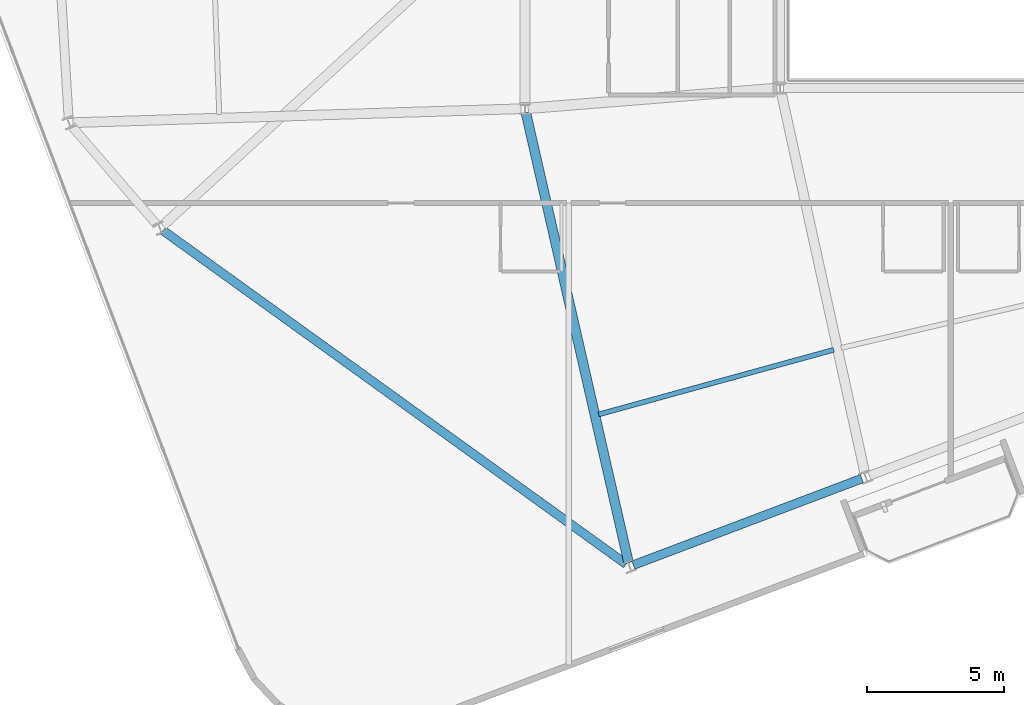
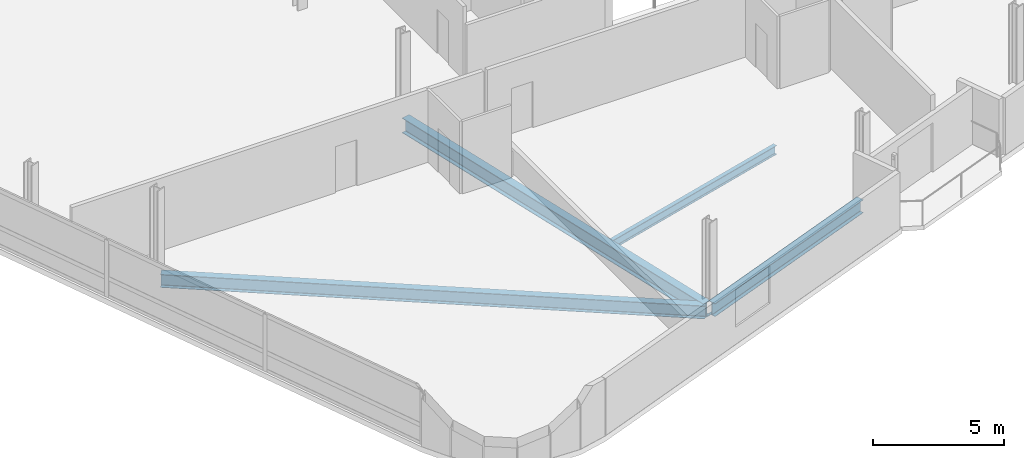
# One storey, part 4 of 19: 4 beams.
"""IFC4 building model written with IfcOpenShell, lengths in metres."""

from ifc_helpers import new_model, si_unit, direction, frame, origin, origin_2d, place, context, subcontext, project, spatial, i_section, extrude, material, material_profile, profile_set, type_object, element, save


model = new_model("IFC4")

# Units and contexts
model_context = context("Model", 3, precision=1e-05, world=origin(), true_north=direction((0.0, 1.0)))
body_context = subcontext(model_context, "Body", "Model", "MODEL_VIEW")
ifc_project = project(units=[si_unit("LENGTHUNIT", "METRE"), si_unit("AREAUNIT", "SQUARE_METRE"), si_unit("VOLUMEUNIT", "CUBIC_METRE"), si_unit("PLANEANGLEUNIT", "RADIAN"), si_unit("MASSUNIT", "GRAM", prefix="KILO")], contexts=[model_context])

# Site, building, storey
site_placement = place(None, origin())
site = spatial("IfcSite", under=ifc_project, at=site_placement, CompositionType="ELEMENT")
building_placement = place(site_placement, origin())
building = spatial("IfcBuilding", under=site, at=building_placement, Name="Varnelok Gate Tower", CompositionType="ELEMENT")
storey_placement = place(building_placement, frame((0.0, 0.0, 249.699951171875)))
storey = spatial("IfcBuildingStorey", under=building, at=storey_placement, Name="L64", CompositionType="ELEMENT", Elevation=249.699951171875)

# Beams
ifc_material = material(Name="Structural Steel ASTM A992 Grade 50", Category="steel")
ifc_material_profile_1 = material_profile(ifc_material, i_section(OverallWidth=0.180908203125, OverallDepth=0.4169921875, WebThickness=0.010986328125, FlangeThickness=0.018310546875, FilletRadius=0.013916015625, at=origin_2d()), Name="W16X57")
ifc_profile_set_1 = profile_set([ifc_material_profile_1], Name="Structural Steel ASTM A992 Grade 50")
beam_type_1 = type_object("IfcBeamType", Name="BM-JST-W16X57", PredefinedType="JOIST", material=ifc_profile_set_1)
beam_1_placement = place(storey_placement, frame((27.100341796875, 7.599853515625, -0.45849609375), z_axis=(0.964219893218, 0.265103748602, 0.0), x_axis=(-0.265103748602, 0.964219893218, 0.0)))
element("IfcBeam", 1, at=beam_1_placement, inside=storey, type_object=beam_type_1, Name="L64 Sector Floor Joist 1", PredefinedType="JOIST", context=body_context, shape_type="SweptSolid", body=[
    extrude(i_section(OverallWidth=0.180908203125, OverallDepth=0.4169921875, WebThickness=0.010986328125, FlangeThickness=0.018310546875, FilletRadius=0.013916015625, at=origin_2d()), origin(), (0.0, 0.0, 1.0), 8.93115234375),
])
ifc_material_profile_2 = material_profile(ifc_material, i_section(OverallWidth=0.35498046875, OverallDepth=0.696044921875, WebThickness=0.015380859375, FlangeThickness=0.02490234375, FilletRadius=0.02001953125, at=origin_2d()), Name="W27X146")
ifc_profile_set_2 = profile_set([ifc_material_profile_2], Name="Structural Steel ASTM A992 Grade 50")
beam_type_2 = type_object("IfcBeamType", Name="BM-PRI-W27X146", PredefinedType="BEAM", material=ifc_profile_set_2)
beam_2_placement = place(storey_placement, frame((24.433349609375, 18.65380859375, -0.597900390625), z_axis=(0.222569880735, -0.974916739106, 0.0), x_axis=(0.974916739106, 0.222569880735, 0.0)))
element("IfcBeam", 2, at=beam_2_placement, inside=storey, type_object=beam_type_2, Name="L64 Radial Floor Girder 1", PredefinedType="BEAM", context=body_context, shape_type="SweptSolid", body=[
    extrude(i_section(OverallWidth=0.35498046875, OverallDepth=0.696044921875, WebThickness=0.015380859375, FlangeThickness=0.02490234375, FilletRadius=0.02001953125, at=origin_2d()), origin(), (0.0, 0.0, 1.0), 16.903564453125),
])
ifc_material_profile_3 = material_profile(ifc_material, i_section(OverallWidth=0.323974609375, OverallDepth=0.611083984375, WebThickness=0.0126953125, FlangeThickness=0.01904296875, FilletRadius=0.01806640625, at=origin_2d()), Name="W24X104")
ifc_profile_set_3 = profile_set([ifc_material_profile_3], Name="Structural Steel ASTM A992 Grade 50")
beam_type_3 = type_object("IfcBeamType", Name="BM-SPN-W24X104", PredefinedType="SPANDREL", material=ifc_profile_set_3)
beam_3_placement = place(storey_placement, frame((28.369384765625, 2.081298828125, -0.555419921875), z_axis=(0.935225969099, 0.354051389947, 0.0), x_axis=(-0.354051389947, 0.935225969099, 0.0)))
element("IfcBeam", 3, at=beam_3_placement, inside=storey, type_object=beam_type_3, Name="L64 Perimeter Spandrel Beam 1", PredefinedType="SPANDREL", context=body_context, shape_type="SweptSolid", body=[
    extrude(i_section(OverallWidth=0.323974609375, OverallDepth=0.611083984375, WebThickness=0.0126953125, FlangeThickness=0.01904296875, FilletRadius=0.01806640625, at=origin_2d()), origin(), (0.0, 0.0, 1.0), 8.949951171875),
])
beam_4_placement = place(storey_placement, frame((11.148681640625, 14.33251953125, -0.555419921875), z_axis=(0.811386760244, -0.584509645173, 0.0), x_axis=(0.584509645173, 0.811386760244, 0.0)))
element("IfcBeam", 4, at=beam_4_placement, inside=storey, type_object=beam_type_3, Name="L64 Perimeter Spandrel Beam 16", PredefinedType="SPANDREL", context=body_context, shape_type="SweptSolid", body=[
    extrude(i_section(OverallWidth=0.323974609375, OverallDepth=0.611083984375, WebThickness=0.0126953125, FlangeThickness=0.01904296875, FilletRadius=0.01806640625, at=origin_2d()), origin(), (0.0, 0.0, 1.0), 20.90087890625),
])

save(model, "model.ifc")
